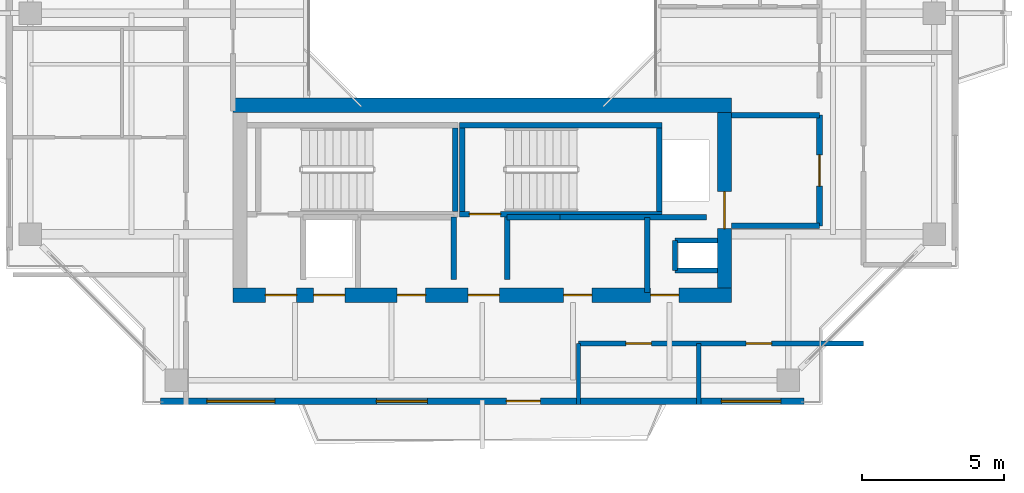
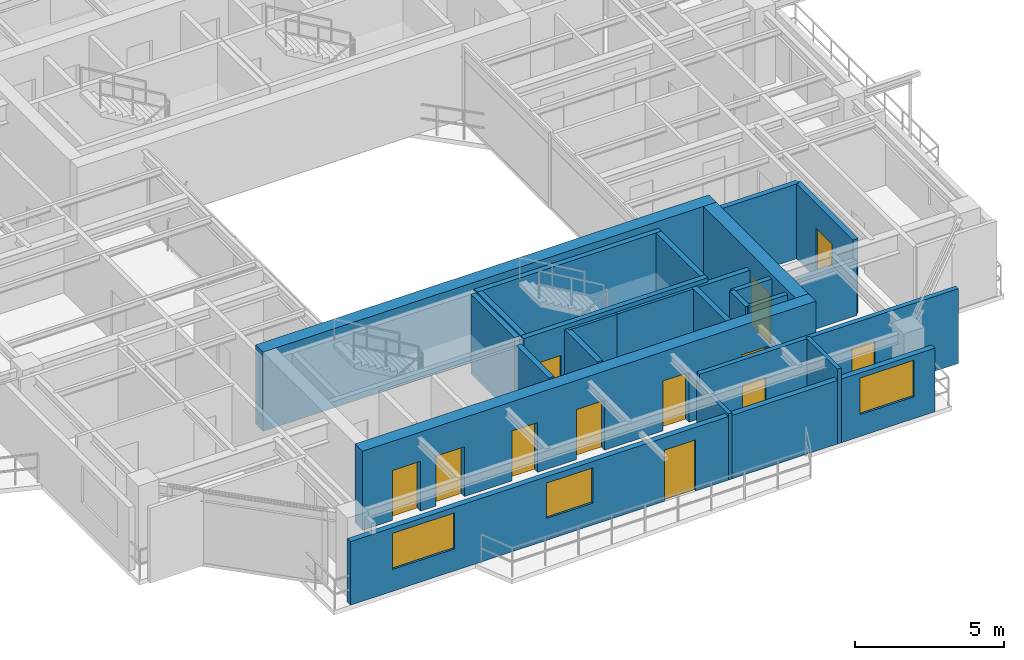
# One storey, part 10 of 15: 23 walls, 12 doors, 3 windows, 15 openings.
"""IFC4 building model written with IfcOpenShell, lengths in metres."""

from ifc_helpers import new_model, si_unit, direction, frame, frame_2d, origin, place, context, subcontext, project, spatial, rectangle, extrude, source, transform, mapped, material, layer, layer_set, type_object, element, fill, save


model = new_model("IFC4")

# Units and contexts
model_context = context("Model", 3, precision=1e-05, world=origin(), true_north=direction((0.0, 1.0)))
body_context = subcontext(model_context, "Body", "Model", "MODEL_VIEW")
ifc_project = project(units=[si_unit("LENGTHUNIT", "METRE"), si_unit("AREAUNIT", "SQUARE_METRE"), si_unit("VOLUMEUNIT", "CUBIC_METRE"), si_unit("PLANEANGLEUNIT", "RADIAN"), si_unit("MASSUNIT", "GRAM", prefix="KILO"), si_unit("THERMODYNAMICTEMPERATUREUNIT", "KELVIN"), si_unit("POWERUNIT", "WATT")], contexts=[model_context])

# Site, building, storey
site_placement = place(None, origin())
site = spatial("IfcSite", under=ifc_project, at=site_placement, CompositionType="ELEMENT")
building_placement = place(site_placement, origin())
building = spatial("IfcBuilding", under=site, at=building_placement, Name="Qiaomeng Ring Towers", CompositionType="ELEMENT")
storey_placement = place(building_placement, frame((0.0, 0.0, 206.75)))
storey = spatial("IfcBuildingStorey", under=building, at=storey_placement, Name="L60", CompositionType="ELEMENT", Elevation=206.75)

# Wall, openings, windows, door
ifc_material_1 = material(Name="Precast concrete C40", Category="concrete")
ifc_layer_1 = layer(ifc_material_1, 0.219970703125, Name="Precast concrete C40")
ifc_layer_set_1 = layer_set([ifc_layer_1], Name="Precast concrete C40")
wall_type_1 = type_object("IfcWallType", Name="ARC-WL-EW2", PredefinedType="STANDARD", material=ifc_layer_set_1)
wall_1_placement = place(storey_placement, frame((7.64990234375, 6.31005859375, 0.0), z_axis=(0.0, 0.0, 1.0), x_axis=(1.0, 0.0, 0.0)))
wall_1 = element("IfcWall", 1, at=wall_1_placement, inside=storey, type_object=wall_type_1, Name="L60 Tower 1 S Exterior Wall", PredefinedType="STANDARD", context=body_context, shape_type="SweptSolid", body=[
    extrude(rectangle(XDim=22.7001953125, YDim=0.219970703125, at=frame_2d((11.35009765625, 0.0))), origin(), (0.0, 0.0, 1.0), 2.610107421875),
])
opening_1_placement = place(wall_1_placement, frame((12.199951171875, 0.0, 0.0)))
opening_1 = element("IfcOpeningElement", 2, at=opening_1_placement, cuts=wall_1, Name="Opening BD1", PredefinedType="OPENING", context=body_context, shape_type="SweptSolid", body=[
    extrude(rectangle(XDim=1.199951171875, YDim=2.10009765625, at=frame_2d((0.60009765625, 1.050048828125))), frame((0.0, 0.119873046875, 0.0), z_axis=(0.0, -1.0, 0.0), x_axis=(1.0, 0.0, 0.0)), (0.0, 0.0, 1.0), 0.239990234375),
])
opening_2_placement = place(wall_1_placement, frame((1.636962890625, 0.0, 0.89990234375)))
opening_2 = element("IfcOpeningElement", 3, at=opening_2_placement, cuts=wall_1, Name="Opening WN6", PredefinedType="OPENING", context=body_context, shape_type="SweptSolid", body=[
    extrude(rectangle(XDim=2.39990234375, YDim=1.47998046875, at=frame_2d((1.199951171875, 0.739990234375))), frame((0.0, 0.119873046875, 0.0), z_axis=(0.0, -1.0, 0.0), x_axis=(1.0, 0.0, 0.0)), (0.0, 0.0, 1.0), 0.239990234375),
])
opening_3_placement = place(wall_1_placement, frame((7.612060546875, 0.0, 0.89990234375)))
opening_3 = element("IfcOpeningElement", 4, at=opening_3_placement, cuts=wall_1, Name="Opening WN1", PredefinedType="OPENING", context=body_context, shape_type="SweptSolid", body=[
    extrude(rectangle(XDim=1.800048828125, YDim=1.449951171875, at=frame_2d((0.89990234375, 0.72509765625))), frame((0.0, 0.119873046875, 0.0), z_axis=(0.0, -1.0, 0.0), x_axis=(1.0, 0.0, 0.0)), (0.0, 0.0, 1.0), 0.239990234375),
])
opening_4_placement = place(wall_1_placement, frame((19.78759765625, 0.0, 0.89990234375)))
opening_4 = element("IfcOpeningElement", 5, at=opening_4_placement, cuts=wall_1, Name="Opening WN4", PredefinedType="OPENING", context=body_context, shape_type="SweptSolid", body=[
    extrude(rectangle(XDim=2.10009765625, YDim=1.5, at=frame_2d((1.050048828125, 0.75))), frame((0.0, 0.119873046875, 0.0), z_axis=(0.0, -1.0, 0.0), x_axis=(1.0, 0.0, 0.0)), (0.0, 0.0, 1.0), 0.239990234375),
])
ifc_material_2 = material(Name="Low-E dark-grey laminated double glazing", Category="glass")
window_type_1 = type_object("IfcWindowType", Name="ARC-WN-4", PartitioningType="TRIPLE_PANEL_VERTICAL", PredefinedType="WINDOW", material=ifc_material_2)
shared_shape_1 = source(origin(), body_context, "Body", "SweptSolid", [
    extrude(rectangle(XDim=2.10009765625, YDim=1.5, at=frame_2d((1.050048828125, 0.75))), frame((0.0, 0.030029296875, 0.0), z_axis=(0.0, -1.0, 0.0), x_axis=(1.0, 0.0, 0.0)), (0.0, 0.0, 1.0), 0.06005859375),
])
window_1_placement = place(opening_4_placement, origin())
window_1 = element("IfcWindow", 6, at=window_1_placement, inside=storey, type_object=window_type_1, Name="L60 Exterior Window WN4", OverallHeight=1.5, OverallWidth=2.10009765625, PartitioningType="TRIPLE_PANEL_VERTICAL", PredefinedType="WINDOW", context=body_context, shape_type="MappedRepresentation", body=[
    mapped(shared_shape_1, transform((0.0, 0.0, 0.0), x_axis=(1.0, 0.0, 0.0), y_axis=(0.0, 1.0, 0.0), z_axis=(0.0, 0.0, 1.0), scale=1.0)),
])
fill(opening_4, window_1)
window_type_2 = type_object("IfcWindowType", Name="ARC-WN-1", PartitioningType="DOUBLE_PANEL_VERTICAL", PredefinedType="WINDOW", material=ifc_material_2)
shared_shape_2 = source(origin(), body_context, "Body", "SweptSolid", [
    extrude(rectangle(XDim=1.800048828125, YDim=1.449951171875, at=frame_2d((0.89990234375, 0.72509765625))), frame((0.0, 0.030029296875, 0.0), z_axis=(0.0, -1.0, 0.0), x_axis=(1.0, 0.0, 0.0)), (0.0, 0.0, 1.0), 0.06005859375),
])
window_2_placement = place(opening_3_placement, origin())
window_2 = element("IfcWindow", 7, at=window_2_placement, inside=storey, type_object=window_type_2, Name="L60 Exterior Window WN1", OverallHeight=1.449951171875, OverallWidth=1.800048828125, PartitioningType="DOUBLE_PANEL_VERTICAL", PredefinedType="WINDOW", context=body_context, shape_type="MappedRepresentation", body=[
    mapped(shared_shape_2, transform((0.0, 0.0, 0.0), x_axis=(1.0, 0.0, 0.0), y_axis=(0.0, 1.0, 0.0), z_axis=(0.0, 0.0, 1.0), scale=1.0)),
])
fill(opening_3, window_2)
window_type_3 = type_object("IfcWindowType", Name="ARC-WN-6", PartitioningType="TRIPLE_PANEL_VERTICAL", PredefinedType="WINDOW", material=ifc_material_2)
shared_shape_3 = source(origin(), body_context, "Body", "SweptSolid", [
    extrude(rectangle(XDim=2.39990234375, YDim=1.47998046875, at=frame_2d((1.199951171875, 0.739990234375))), frame((0.0, 0.030029296875, 0.0), z_axis=(0.0, -1.0, 0.0), x_axis=(1.0, 0.0, 0.0)), (0.0, 0.0, 1.0), 0.06005859375),
])
window_3_placement = place(opening_2_placement, origin())
window_3 = element("IfcWindow", 8, at=window_3_placement, inside=storey, type_object=window_type_3, Name="L60 Exterior Window WN6", OverallHeight=1.47998046875, OverallWidth=2.39990234375, PartitioningType="TRIPLE_PANEL_VERTICAL", PredefinedType="WINDOW", context=body_context, shape_type="MappedRepresentation", body=[
    mapped(shared_shape_3, transform((0.0, 0.0, 0.0), x_axis=(1.0, 0.0, 0.0), y_axis=(0.0, 1.0, 0.0), z_axis=(0.0, 0.0, 1.0), scale=1.0)),
])
fill(opening_2, window_3)
door_type_1 = type_object("IfcDoorType", Name="ARC-DR-BD1", OperationType="NOTDEFINED", PredefinedType="DOOR", material=ifc_material_2)
shared_shape_4 = source(origin(), body_context, "Body", "SweptSolid", [
    extrude(rectangle(XDim=1.199951171875, YDim=2.10009765625, at=frame_2d((0.60009765625, 1.050048828125))), frame((0.0, 0.02490234375, 0.0), z_axis=(0.0, -1.0, 0.0), x_axis=(1.0, 0.0, 0.0)), (0.0, 0.0, 1.0), 0.050048828125),
])
door_1_placement = place(opening_1_placement, frame((1.199951171875, 0.0, 0.0), z_axis=(0.0, 0.0, 1.0), x_axis=(-1.0, 0.0, 0.0)))
door_1 = element("IfcDoor", 9, at=door_1_placement, inside=storey, type_object=door_type_1, Name="L60 S Balcony Glazed Door", OperationType="SINGLE_SWING_LEFT", OverallHeight=2.10009765625, OverallWidth=1.199951171875, PredefinedType="DOOR", context=body_context, shape_type="MappedRepresentation", body=[
    mapped(shared_shape_4, transform((0.0, 0.0, 0.0), x_axis=(1.0, 0.0, 0.0), y_axis=(0.0, 1.0, 0.0), z_axis=(0.0, 0.0, 1.0), scale=1.0)),
])
fill(opening_1, door_1)

# Walls
ifc_material_3 = material(Name="Autoclaved aerated concrete block", Category="concrete")
ifc_layer_2 = layer(ifc_material_3, 0.199951171875, Name="Autoclaved aerated concrete block")
ifc_layer_set_2 = layer_set([ifc_layer_2], Name="Autoclaved aerated concrete block")
wall_type_2 = type_object("IfcWallType", Name="ARC-WL-PW1", PredefinedType="PARTITIONING", material=ifc_layer_set_2)
wall_2_placement = place(storey_placement, frame((27.800048828125, 16.39990234375, 0.0), z_axis=(0.0, 0.0, 1.0), x_axis=(1.0, 0.0, 0.0)))
element("IfcWall", 10, at=wall_2_placement, inside=storey, type_object=wall_type_2, Name="L60 Interior Wall PW1", PredefinedType="PARTITIONING", context=body_context, shape_type="SweptSolid", body=[
    extrude(rectangle(XDim=3.099853515625, YDim=0.199951171875, at=frame_2d((1.5498046875, 0.0))), origin(), (0.0, 0.0, 1.0), 3.070068359375),
])
wall_3_placement = place(storey_placement, frame((27.800048828125, 12.5, 0.0), z_axis=(0.0, 0.0, 1.0), x_axis=(1.0, 0.0, 0.0)))
element("IfcWall", 11, at=wall_3_placement, inside=storey, type_object=wall_type_2, Name="L60 Interior Wall PW1", PredefinedType="PARTITIONING", context=body_context, shape_type="SweptSolid", body=[
    extrude(rectangle(XDim=3.099853515625, YDim=0.199951171875, at=frame_2d((1.5498046875, 0.0))), origin(), (0.0, 0.0, 1.0), 2.264892578125),
])

# Wall, opening, door
wall_4_placement = place(storey_placement, frame((30.89990234375, 12.5, 0.0), z_axis=(0.0, 0.0, 1.0), x_axis=(0.0, 1.0, 0.0)))
wall_4 = element("IfcWall", 12, at=wall_4_placement, inside=storey, type_object=wall_type_2, Name="L60 Interior Wall PW1", PredefinedType="PARTITIONING", context=body_context, shape_type="SweptSolid", body=[
    extrude(rectangle(XDim=3.89990234375, YDim=0.199951171875, at=frame_2d((1.949951171875, 0.0))), origin(), (0.0, 0.0, 1.0), 3.070068359375),
])
opening_5_placement = place(wall_4_placement, frame((1.39990234375, 0.0, 0.0)))
opening_5 = element("IfcOpeningElement", 13, at=opening_5_placement, cuts=wall_4, Name="Opening FD3", PredefinedType="OPENING", context=body_context, shape_type="SweptSolid", body=[
    extrude(rectangle(XDim=1.10009765625, YDim=2.050048828125, at=frame_2d((0.550048828125, 1.02490234375))), frame((0.0, 0.10986328125, 0.0), z_axis=(0.0, -1.0, 0.0), x_axis=(1.0, 0.0, 0.0)), (0.0, 0.0, 1.0), 0.219970703125),
])
ifc_material_4 = material(Name="Galvanised steel", Category="steel")
door_type_2 = type_object("IfcDoorType", Name="ARC-DR-FD3", OperationType="NOTDEFINED", PredefinedType="DOOR", material=ifc_material_4)
shared_shape_5 = source(origin(), body_context, "Body", "SweptSolid", [
    extrude(rectangle(XDim=1.10009765625, YDim=2.050048828125, at=frame_2d((0.550048828125, 1.02490234375))), frame((0.0, 0.02490234375, 0.0), z_axis=(0.0, -1.0, 0.0), x_axis=(1.0, 0.0, 0.0)), (0.0, 0.0, 1.0), 0.050048828125),
])
door_2_placement = place(opening_5_placement, origin())
door_2 = element("IfcDoor", 14, at=door_2_placement, inside=storey, type_object=door_type_2, Name="L60 South FF Lobby Door", OperationType="SINGLE_SWING_RIGHT", OverallHeight=2.050048828125, OverallWidth=1.10009765625, PredefinedType="DOOR", context=body_context, shape_type="MappedRepresentation", body=[
    mapped(shared_shape_5, transform((0.0, 0.0, 0.0), x_axis=(1.0, 0.0, 0.0), y_axis=(0.0, 1.0, 0.0), z_axis=(0.0, 0.0, 1.0), scale=1.0)),
])
fill(opening_5, door_2)

# Walls
for number, where, z_axis, x_axis, name in (
    (15, (18.0, 10.60009765625, 0.0), (0.0, 0.0, 1.0), (0.0, 1.0, 0.0), "L60 Interior Wall PW1"),
    (16, (19.8798828125, 10.60009765625, 0.0), (0.0, 0.0, 1.0), (0.0, 1.0, 0.0), "L60 Interior Wall PW1"),
):
    element("IfcWall", number, at=place(storey_placement, frame(where, z_axis=z_axis, x_axis=x_axis)), inside=storey, type_object=wall_type_2, Name=name, PredefinedType="PARTITIONING", context=body_context, shape_type="SweptSolid", body=[
        extrude(rectangle(XDim=2.2099609375, YDim=0.199951171875, at=frame_2d((1.10498046875, 0.0))), origin(), (0.0, 0.0, 1.0), 3.070068359375),
    ])
wall_5_placement = place(storey_placement, frame((24.820068359375, 10.14990234375, 0.0), z_axis=(0.0, 0.0, 1.0), x_axis=(0.0, 1.0, 0.0)))
element("IfcWall", 17, at=wall_5_placement, inside=storey, type_object=wall_type_2, Name="L60 Interior Wall PW1", PredefinedType="PARTITIONING", context=body_context, shape_type="SweptSolid", body=[
    extrude(rectangle(XDim=2.650146484375, YDim=0.199951171875, at=frame_2d((1.3251953125, 0.0))), origin(), (0.0, 0.0, 1.0), 3.070068359375),
])
wall_6_placement = place(storey_placement, frame((19.8798828125, 12.800048828125, 0.0), z_axis=(0.0, 0.0, 1.0), x_axis=(1.0, 0.0, 0.0)))
element("IfcWall", 18, at=wall_6_placement, inside=storey, type_object=wall_type_2, Name="L60 Interior Wall PW1", PredefinedType="PARTITIONING", context=body_context, shape_type="SweptSolid", body=[
    extrude(rectangle(XDim=1.8701171875, YDim=0.199951171875, at=frame_2d((0.93505859375, 0.0))), origin(), (0.0, 0.0, 1.0), 3.070068359375),
])
wall_7_placement = place(storey_placement, frame((21.75, 12.800048828125, 0.0), z_axis=(0.0, 0.0, 1.0), x_axis=(1.0, 0.0, 0.0)))
element("IfcWall", 19, at=wall_7_placement, inside=storey, type_object=wall_type_2, Name="L60 Interior Wall PW1", PredefinedType="PARTITIONING", context=body_context, shape_type="SweptSolid", body=[
    extrude(rectangle(XDim=5.169921875, YDim=0.199951171875, at=frame_2d((2.5849609375, 0.0))), origin(), (0.0, 0.0, 1.0), 3.070068359375),
])

# Wall, openings, doors
ifc_layer_3 = layer(ifc_material_3, 0.179931640625, Name="Autoclaved aerated concrete block")
ifc_layer_set_3 = layer_set([ifc_layer_3], Name="Autoclaved aerated concrete block")
wall_type_3 = type_object("IfcWallType", Name="ARC-WL-PW2", PredefinedType="PARTITIONING", material=ifc_layer_set_3)
wall_8_placement = place(storey_placement, frame((22.39990234375, 8.35009765625, 0.0), z_axis=(0.0, 0.0, 1.0), x_axis=(1.0, 0.0, 0.0)))
wall_8 = element("IfcWall", 20, at=wall_8_placement, inside=storey, type_object=wall_type_3, Name="L60 Interior Wall PW2", PredefinedType="PARTITIONING", context=body_context, shape_type="SweptSolid", body=[
    extrude(rectangle(XDim=10.050048828125, YDim=0.179931640625, at=frame_2d((5.02490234375, 0.0))), origin(), (0.0, 0.0, 1.0), 3.070068359375),
])
opening_6_placement = place(wall_8_placement, frame((1.669921875, 0.0, 0.0)))
opening_6 = element("IfcOpeningElement", 21, at=opening_6_placement, cuts=wall_8, Name="Opening ID1", PredefinedType="OPENING", context=body_context, shape_type="SweptSolid", body=[
    extrude(rectangle(XDim=0.89990234375, YDim=2.050048828125, at=frame_2d((0.449951171875, 1.02490234375))), frame((0.0, 0.099853515625, 0.0), z_axis=(0.0, -1.0, 0.0), x_axis=(1.0, 0.0, 0.0)), (0.0, 0.0, 1.0), 0.199951171875),
])
opening_7_placement = place(wall_8_placement, frame((5.909912109375, 0.0, 0.0)))
opening_7 = element("IfcOpeningElement", 22, at=opening_7_placement, cuts=wall_8, Name="Opening ID1", PredefinedType="OPENING", context=body_context, shape_type="SweptSolid", body=[
    extrude(rectangle(XDim=0.89990234375, YDim=2.050048828125, at=frame_2d((0.449951171875, 1.02490234375))), frame((0.0, 0.099853515625, 0.0), z_axis=(0.0, -1.0, 0.0), x_axis=(1.0, 0.0, 0.0)), (0.0, 0.0, 1.0), 0.199951171875),
])
ifc_material_5 = material(Name="Engineered oak timber", Category="wood")
door_type_3 = type_object("IfcDoorType", Name="ARC-DR-ID1", OperationType="NOTDEFINED", PredefinedType="DOOR", material=ifc_material_5)
shared_shape_6 = source(origin(), body_context, "Body", "SweptSolid", [
    extrude(rectangle(XDim=0.89990234375, YDim=2.050048828125, at=frame_2d((0.449951171875, 1.02490234375))), frame((0.0, 0.02490234375, 0.0), z_axis=(0.0, -1.0, 0.0), x_axis=(1.0, 0.0, 0.0)), (0.0, 0.0, 1.0), 0.050048828125),
])
door_3_placement = place(opening_6_placement, origin())
door_3 = element("IfcDoor", 23, at=door_3_placement, inside=storey, type_object=door_type_3, Name="L60 Door ID1", OperationType="SINGLE_SWING_LEFT", OverallHeight=2.050048828125, OverallWidth=0.89990234375, PredefinedType="DOOR", context=body_context, shape_type="MappedRepresentation", body=[
    mapped(shared_shape_6, transform((0.0, 0.0, 0.0), x_axis=(1.0, 0.0, 0.0), y_axis=(0.0, 1.0, 0.0), z_axis=(0.0, 0.0, 1.0), scale=1.0)),
])
fill(opening_6, door_3)
door_4_placement = place(opening_7_placement, origin())
door_4 = element("IfcDoor", 24, at=door_4_placement, inside=storey, type_object=door_type_3, Name="L60 Door ID1", OperationType="SINGLE_SWING_RIGHT", OverallHeight=2.050048828125, OverallWidth=0.89990234375, PredefinedType="DOOR", context=body_context, shape_type="MappedRepresentation", body=[
    mapped(shared_shape_6, transform((0.0, 0.0, 0.0), x_axis=(1.0, 0.0, 0.0), y_axis=(0.0, 1.0, 0.0), z_axis=(0.0, 0.0, 1.0), scale=1.0)),
])
fill(opening_7, door_4)

# Walls
ifc_material_6 = material(Name="Gypsum fireboard steel-stud partition", Category="steel")
ifc_layer_4 = layer(ifc_material_6, 0.14990234375, Name="Gypsum fireboard steel-stud partition")
ifc_layer_set_4 = layer_set([ifc_layer_4], Name="Gypsum fireboard steel-stud partition")
wall_type_4 = type_object("IfcWallType", Name="ARC-WL-PW3", PredefinedType="PARTITIONING", material=ifc_layer_set_4)
wall_9_placement = place(storey_placement, frame((22.39990234375, 6.199951171875, 0.0), z_axis=(0.0, 0.0, 1.0), x_axis=(0.0, 1.0, 0.0)))
element("IfcWall", 25, at=wall_9_placement, inside=storey, type_object=wall_type_4, Name="L60 Interior Wall PW3", PredefinedType="PARTITIONING", context=body_context, shape_type="SweptSolid", body=[
    extrude(rectangle(XDim=2.150146484375, YDim=0.14990234375, at=frame_2d((1.0751953125, 0.0))), origin(), (0.0, 0.0, 1.0), 2.715087890625),
])
wall_10_placement = place(storey_placement, frame((26.639892578125, 6.199951171875, 0.0), z_axis=(0.0, 0.0, 1.0), x_axis=(0.0, 1.0, 0.0)))
element("IfcWall", 26, at=wall_10_placement, inside=storey, type_object=wall_type_4, Name="L60 Interior Wall PW3", PredefinedType="PARTITIONING", context=body_context, shape_type="SweptSolid", body=[
    extrude(rectangle(XDim=2.150146484375, YDim=0.14990234375, at=frame_2d((1.0751953125, 0.0))), origin(), (0.0, 0.0, 1.0), 3.070068359375),
])
ifc_material_7 = material(Name="Concrete C40", Category="concrete")
ifc_layer_5 = layer(ifc_material_7, 0.199951171875, Name="Concrete C40")
ifc_layer_set_5 = layer_set([ifc_layer_5], Name="Concrete C40")
wall_type_5 = type_object("IfcWallType", Name="STR-WL-STSHAFT", PredefinedType="SHEAR", material=ifc_layer_set_5)
wall_11_placement = place(storey_placement, frame((25.800048828125, 10.919921875, 0.0), z_axis=(0.0, 0.0, 1.0), x_axis=(0.0, 1.0, 0.0)))
element("IfcWall", 27, at=wall_11_placement, inside=storey, type_object=wall_type_5, Name="L60 Riser RSR1 West Shaft Wall S", PredefinedType="SHEAR", context=body_context, shape_type="SweptSolid", body=[
    extrude(rectangle(XDim=1.06005859375, YDim=0.179931640625, at=frame_2d((0.530029296875, 0.0))), origin(), (0.0, 0.0, 1.0), 3.070068359375),
])
for number, where, z_axis, x_axis, name in (
    (28, (25.800048828125, 11.97998046875, 0.0), (0.0, 0.0, 1.0), (1.0, 0.0, 0.0), "L60 Riser RSR1 North Shaft Wall S"),
    (29, (25.800048828125, 10.919921875, 0.0), (0.0, 0.0, 1.0), (1.0, 0.0, 0.0), "L60 Riser RSR1 South Shaft Wall S"),
):
    element("IfcWall", number, at=place(storey_placement, frame(where, z_axis=z_axis, x_axis=x_axis)), inside=storey, type_object=wall_type_5, Name=name, PredefinedType="SHEAR", context=body_context, shape_type="SweptSolid", body=[
        extrude(rectangle(XDim=1.5, YDim=0.179931640625, at=frame_2d((0.75, 0.0))), origin(), (0.0, 0.0, 1.0), 3.070068359375),
    ])
wall_12_placement = place(storey_placement, frame((18.050048828125, 13.010009765625, 0.0), z_axis=(0.0, 0.0, 1.0), x_axis=(0.0, 1.0, 0.0)))
element("IfcWall", 30, at=wall_12_placement, inside=storey, type_object=wall_type_5, Name="L60 Stair ST3 East Shaft Shear Wall", PredefinedType="SHEAR", context=body_context, shape_type="SweptSolid", body=[
    extrude(rectangle(XDim=2.93994140625, YDim=0.199951171875, at=frame_2d((1.469970703125, 0.0))), origin(), (0.0, 0.0, 1.0), 3.25),
])

# Wall, opening, door
wall_13_placement = place(storey_placement, frame((18.199951171875, 12.909912109375, 0.0), z_axis=(0.0, 0.0, 1.0), x_axis=(1.0, 0.0, 0.0)))
wall_13 = element("IfcWall", 31, at=wall_13_placement, inside=storey, type_object=wall_type_5, Name="L60 Stair ST4 South Shaft Shear Wall", PredefinedType="SHEAR", context=body_context, shape_type="SweptSolid", body=[
    extrude(rectangle(XDim=7.150146484375, YDim=0.199951171875, at=frame_2d((3.5751953125, 0.0))), origin(), (0.0, 0.0, 1.0), 3.25),
])
opening_8_placement = place(wall_13_placement, frame((0.35009765625, 0.0, 0.0)))
opening_8 = element("IfcOpeningElement", 32, at=opening_8_placement, cuts=wall_13, Name="Opening FD3", PredefinedType="OPENING", context=body_context, shape_type="SweptSolid", body=[
    extrude(rectangle(XDim=1.10009765625, YDim=2.050048828125, at=frame_2d((0.550048828125, 1.02490234375))), frame((0.0, 0.10986328125, 0.0), z_axis=(0.0, -1.0, 0.0), x_axis=(1.0, 0.0, 0.0)), (0.0, 0.0, 1.0), 0.219970703125),
])
door_5_placement = place(opening_8_placement, frame((1.10009765625, 0.0, 0.0), z_axis=(0.0, 0.0, 1.0), x_axis=(-1.0, 0.0, 0.0)))
door_5 = element("IfcDoor", 33, at=door_5_placement, inside=storey, type_object=door_type_2, Name="L60 Stair ST4 Exit Door", OperationType="SINGLE_SWING_RIGHT", OverallHeight=2.050048828125, OverallWidth=1.10009765625, PredefinedType="DOOR", context=body_context, shape_type="MappedRepresentation", body=[
    mapped(shared_shape_5, transform((0.0, 0.0, 0.0), x_axis=(1.0, 0.0, 0.0), y_axis=(0.0, 1.0, 0.0), z_axis=(0.0, 0.0, 1.0), scale=1.0)),
])
fill(opening_8, door_5)

# Walls
wall_14_placement = place(storey_placement, frame((18.199951171875, 16.050048828125, 0.0), z_axis=(0.0, 0.0, 1.0), x_axis=(1.0, 0.0, 0.0)))
element("IfcWall", 34, at=wall_14_placement, inside=storey, type_object=wall_type_5, Name="L60 Stair ST4 North Shaft Shear Wall", PredefinedType="SHEAR", context=body_context, shape_type="SweptSolid", body=[
    extrude(rectangle(XDim=7.150146484375, YDim=0.199951171875, at=frame_2d((3.5751953125, 0.0))), origin(), (0.0, 0.0, 1.0), 3.25),
])
for number, where, z_axis, x_axis, name in (
    (35, (18.300048828125, 13.010009765625, 0.0), (0.0, 0.0, 1.0), (0.0, 1.0, 0.0), "L60 Stair ST4 West Shaft Shear Wall"),
    (36, (25.25, 13.010009765625, 0.0), (0.0, 0.0, 1.0), (0.0, 1.0, 0.0), "L60 Stair ST4 East Shaft Shear Wall"),
):
    element("IfcWall", number, at=place(storey_placement, frame(where, z_axis=z_axis, x_axis=x_axis)), inside=storey, type_object=wall_type_5, Name=name, PredefinedType="SHEAR", context=body_context, shape_type="SweptSolid", body=[
        extrude(rectangle(XDim=2.93994140625, YDim=0.199951171875, at=frame_2d((1.469970703125, 0.0))), origin(), (0.0, 0.0, 1.0), 3.25),
    ])

# Wall, openings, doors
ifc_layer_6 = layer(ifc_material_7, 0.5, Name="Concrete C40")
ifc_layer_set_6 = layer_set([ifc_layer_6], Name="Concrete C40")
wall_type_6 = type_object("IfcWallType", Name="STR-WL-SW3", PredefinedType="SHEAR", material=ifc_layer_set_6)
wall_15_placement = place(storey_placement, frame((10.199951171875, 10.050048828125, 0.0), z_axis=(0.0, 0.0, 1.0), x_axis=(1.0, 0.0, 0.0)))
wall_15 = element("IfcWall", 37, at=wall_15_placement, inside=storey, type_object=wall_type_6, Name="L60 T1SC south core shear wall", PredefinedType="SHEAR", context=body_context, shape_type="SweptSolid", body=[
    extrude(rectangle(XDim=17.60009765625, YDim=0.5, at=frame_2d((8.800048828125, 0.0))), origin(), (0.0, 0.0, 1.0), 3.25),
])
opening_9_placement = place(wall_15_placement, frame((1.14990234375, 0.0, 0.0)))
opening_9 = element("IfcOpeningElement", 38, at=opening_9_placement, cuts=wall_15, Name="Opening FD3", PredefinedType="OPENING", context=body_context, shape_type="SweptSolid", body=[
    extrude(rectangle(XDim=1.10009765625, YDim=2.050048828125, at=frame_2d((0.550048828125, 1.02490234375))), frame((0.0, 0.260009765625, 0.0), z_axis=(0.0, -1.0, 0.0), x_axis=(1.0, 0.0, 0.0)), (0.0, 0.0, 1.0), 0.52001953125),
])
opening_10_placement = place(wall_15_placement, frame((8.300048828125, 0.0, 0.0)))
opening_10 = element("IfcOpeningElement", 39, at=opening_10_placement, cuts=wall_15, Name="Opening FD3", PredefinedType="OPENING", context=body_context, shape_type="SweptSolid", body=[
    extrude(rectangle(XDim=1.10009765625, YDim=2.050048828125, at=frame_2d((0.550048828125, 1.02490234375))), frame((0.0, 0.260009765625, 0.0), z_axis=(0.0, -1.0, 0.0), x_axis=(1.0, 0.0, 0.0)), (0.0, 0.0, 1.0), 0.52001953125),
])
opening_11_placement = place(wall_15_placement, frame((2.85009765625, 0.0, 0.0)))
opening_11 = element("IfcOpeningElement", 40, at=opening_11_placement, cuts=wall_15, Name="Opening LD1", PredefinedType="OPENING", context=body_context, shape_type="SweptSolid", body=[
    extrude(rectangle(XDim=1.10009765625, YDim=2.050048828125, at=frame_2d((0.550048828125, 1.02490234375))), frame((0.0, 0.260009765625, 0.0), z_axis=(0.0, -1.0, 0.0), x_axis=(1.0, 0.0, 0.0)), (0.0, 0.0, 1.0), 0.52001953125),
])
opening_12_placement = place(wall_15_placement, frame((5.800048828125, 0.0, 0.0)))
opening_12 = element("IfcOpeningElement", 41, at=opening_12_placement, cuts=wall_15, Name="Opening FD1", PredefinedType="OPENING", context=body_context, shape_type="SweptSolid", body=[
    extrude(rectangle(XDim=1.0, YDim=2.050048828125, at=frame_2d((0.5, 1.02490234375))), frame((0.0, 0.260009765625, 0.0), z_axis=(0.0, -1.0, 0.0), x_axis=(1.0, 0.0, 0.0)), (0.0, 0.0, 1.0), 0.52001953125),
])
opening_13_placement = place(wall_15_placement, frame((14.739990234375, 0.0, 0.0)))
opening_13 = element("IfcOpeningElement", 42, at=opening_13_placement, cuts=wall_15, Name="Opening FD1", PredefinedType="OPENING", context=body_context, shape_type="SweptSolid", body=[
    extrude(rectangle(XDim=1.0, YDim=2.050048828125, at=frame_2d((0.5, 1.02490234375))), frame((0.0, 0.260009765625, 0.0), z_axis=(0.0, -1.0, 0.0), x_axis=(1.0, 0.0, 0.0)), (0.0, 0.0, 1.0), 0.52001953125),
])
opening_14_placement = place(wall_15_placement, frame((11.669921875, 0.0, 0.0)))
opening_14 = element("IfcOpeningElement", 43, at=opening_14_placement, cuts=wall_15, Name="Opening FD1", PredefinedType="OPENING", context=body_context, shape_type="SweptSolid", body=[
    extrude(rectangle(XDim=1.0, YDim=2.050048828125, at=frame_2d((0.5, 1.02490234375))), frame((0.0, 0.260009765625, 0.0), z_axis=(0.0, -1.0, 0.0), x_axis=(1.0, 0.0, 0.0)), (0.0, 0.0, 1.0), 0.52001953125),
])
door_6_placement = place(opening_9_placement, origin())
door_6 = element("IfcDoor", 44, at=door_6_placement, inside=storey, type_object=door_type_2, Name="L60 Stair ST3 Lobby Door", OperationType="SINGLE_SWING_LEFT", OverallHeight=2.050048828125, OverallWidth=1.10009765625, PredefinedType="DOOR", context=body_context, shape_type="MappedRepresentation", body=[
    mapped(shared_shape_5, transform((0.0, 0.0, 0.0), x_axis=(1.0, 0.0, 0.0), y_axis=(0.0, 1.0, 0.0), z_axis=(0.0, 0.0, 1.0), scale=1.0)),
])
fill(opening_9, door_6)
door_7_placement = place(opening_10_placement, origin())
door_7 = element("IfcDoor", 45, at=door_7_placement, inside=storey, type_object=door_type_2, Name="L60 Stair ST4 Lobby Door", OperationType="SINGLE_SWING_LEFT", OverallHeight=2.050048828125, OverallWidth=1.10009765625, PredefinedType="DOOR", context=body_context, shape_type="MappedRepresentation", body=[
    mapped(shared_shape_5, transform((0.0, 0.0, 0.0), x_axis=(1.0, 0.0, 0.0), y_axis=(0.0, 1.0, 0.0), z_axis=(0.0, 0.0, 1.0), scale=1.0)),
])
fill(opening_10, door_7)
ifc_material_8 = material(Name="Stainless steel 316", Category="steel")
door_type_4 = type_object("IfcDoorType", Name="ARC-DR-LD1", OperationType="NOTDEFINED", PredefinedType="DOOR", material=ifc_material_8)
door_8_placement = place(opening_11_placement, origin())
door_8 = element("IfcDoor", 46, at=door_8_placement, inside=storey, type_object=door_type_4, Name="L60 High-Zone Lift LP6 Landing Door", OperationType="SLIDING_TO_RIGHT", OverallHeight=2.050048828125, OverallWidth=1.10009765625, PredefinedType="DOOR", context=body_context, shape_type="MappedRepresentation", body=[
    mapped(shared_shape_5, transform((0.0, 0.0, 0.0), x_axis=(1.0, 0.0, 0.0), y_axis=(0.0, 1.0, 0.0), z_axis=(0.0, 0.0, 1.0), scale=1.0)),
])
fill(opening_11, door_8)
door_type_5 = type_object("IfcDoorType", Name="ARC-DR-FD1", OperationType="NOTDEFINED", PredefinedType="DOOR", material=ifc_material_4)
shared_shape_7 = source(origin(), body_context, "Body", "SweptSolid", [
    extrude(rectangle(XDim=1.0, YDim=2.050048828125, at=frame_2d((0.5, 1.02490234375))), frame((0.0, 0.02490234375, 0.0), z_axis=(0.0, -1.0, 0.0), x_axis=(1.0, 0.0, 0.0)), (0.0, 0.0, 1.0), 0.050048828125),
])
door_9_placement = place(opening_12_placement, origin())
door_9 = element("IfcDoor", 47, at=door_9_placement, inside=storey, type_object=door_type_5, Name="L60 High-Zone Freed Core Room Door", OperationType="SINGLE_SWING_RIGHT", OverallHeight=2.050048828125, OverallWidth=1.0, PredefinedType="DOOR", context=body_context, shape_type="MappedRepresentation", body=[
    mapped(shared_shape_7, transform((0.0, 0.0, 0.0), x_axis=(1.0, 0.0, 0.0), y_axis=(0.0, 1.0, 0.0), z_axis=(0.0, 0.0, 1.0), scale=1.0)),
])
fill(opening_12, door_9)
door_10_placement = place(opening_13_placement, origin())
door_10 = element("IfcDoor", 48, at=door_10_placement, inside=storey, type_object=door_type_5, Name="L60 South Electrical Riser Door", OperationType="SINGLE_SWING_RIGHT", OverallHeight=2.050048828125, OverallWidth=1.0, PredefinedType="DOOR", context=body_context, shape_type="MappedRepresentation", body=[
    mapped(shared_shape_7, transform((0.0, 0.0, 0.0), x_axis=(1.0, 0.0, 0.0), y_axis=(0.0, 1.0, 0.0), z_axis=(0.0, 0.0, 1.0), scale=1.0)),
])
fill(opening_13, door_10)
door_11_placement = place(opening_14_placement, origin())
door_11 = element("IfcDoor", 49, at=door_11_placement, inside=storey, type_object=door_type_5, Name="L60 South Building Management Office Door", OperationType="SINGLE_SWING_LEFT", OverallHeight=2.050048828125, OverallWidth=1.0, PredefinedType="DOOR", context=body_context, shape_type="MappedRepresentation", body=[
    mapped(shared_shape_7, transform((0.0, 0.0, 0.0), x_axis=(1.0, 0.0, 0.0), y_axis=(0.0, 1.0, 0.0), z_axis=(0.0, 0.0, 1.0), scale=1.0)),
])
fill(opening_14, door_11)

# Wall
wall_16_placement = place(storey_placement, frame((10.199951171875, 16.75, 0.0), z_axis=(0.0, 0.0, 1.0), x_axis=(1.0, 0.0, 0.0)))
element("IfcWall", 50, at=wall_16_placement, inside=storey, type_object=wall_type_6, Name="L60 T1SC north core shear wall", PredefinedType="SHEAR", context=body_context, shape_type="SweptSolid", body=[
    extrude(rectangle(XDim=17.60009765625, YDim=0.5, at=frame_2d((8.800048828125, 0.0))), origin(), (0.0, 0.0, 1.0), 3.25),
])

# Wall, opening, door
wall_17_placement = place(storey_placement, frame((27.550048828125, 10.300048828125, 0.0), z_axis=(0.0, 0.0, 1.0), x_axis=(0.0, 1.0, 0.0)))
wall_17 = element("IfcWall", 51, at=wall_17_placement, inside=storey, type_object=wall_type_6, Name="L60 T1SC east core shear wall", PredefinedType="SHEAR", context=body_context, shape_type="SweptSolid", body=[
    extrude(rectangle(XDim=6.199951171875, YDim=0.5, at=frame_2d((3.10009765625, 0.0))), origin(), (0.0, 0.0, 1.0), 3.25),
])
opening_15_placement = place(wall_17_placement, frame((2.10009765625, 0.0, 0.0)))
opening_15 = element("IfcOpeningElement", 52, at=opening_15_placement, cuts=wall_17, Name="Opening LD2", PredefinedType="OPENING", context=body_context, shape_type="SweptSolid", body=[
    extrude(rectangle(XDim=1.300048828125, YDim=2.050048828125, at=frame_2d((0.64990234375, 1.02490234375))), frame((0.0, 0.260009765625, 0.0), z_axis=(0.0, -1.0, 0.0), x_axis=(1.0, 0.0, 0.0)), (0.0, 0.0, 1.0), 0.52001953125),
])
door_type_6 = type_object("IfcDoorType", Name="ARC-DR-LD2", OperationType="NOTDEFINED", PredefinedType="DOOR", material=ifc_material_8)
shared_shape_8 = source(origin(), body_context, "Body", "SweptSolid", [
    extrude(rectangle(XDim=1.300048828125, YDim=2.050048828125, at=frame_2d((0.64990234375, 1.02490234375))), frame((0.0, 0.02490234375, 0.0), z_axis=(0.0, -1.0, 0.0), x_axis=(1.0, 0.0, 0.0)), (0.0, 0.0, 1.0), 0.050048828125),
])
door_12_placement = place(opening_15_placement, origin())
door_12 = element("IfcDoor", 53, at=door_12_placement, inside=storey, type_object=door_type_6, Name="L60 Firefighting Lift FL2 Landing Door", OperationType="SLIDING_TO_RIGHT", OverallHeight=2.050048828125, OverallWidth=1.300048828125, PredefinedType="DOOR", context=body_context, shape_type="MappedRepresentation", body=[
    mapped(shared_shape_8, transform((0.0, 0.0, 0.0), x_axis=(1.0, 0.0, 0.0), y_axis=(0.0, 1.0, 0.0), z_axis=(0.0, 0.0, 1.0), scale=1.0)),
])
fill(opening_15, door_12)

save(model, "model.ifc")
